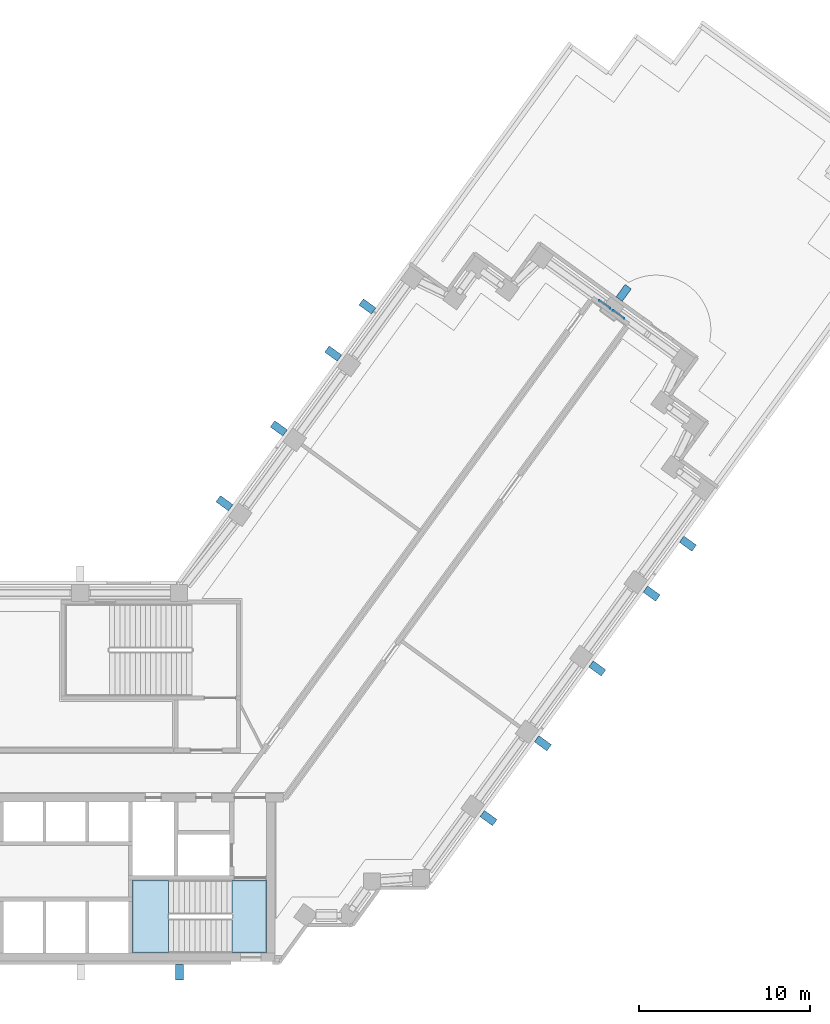
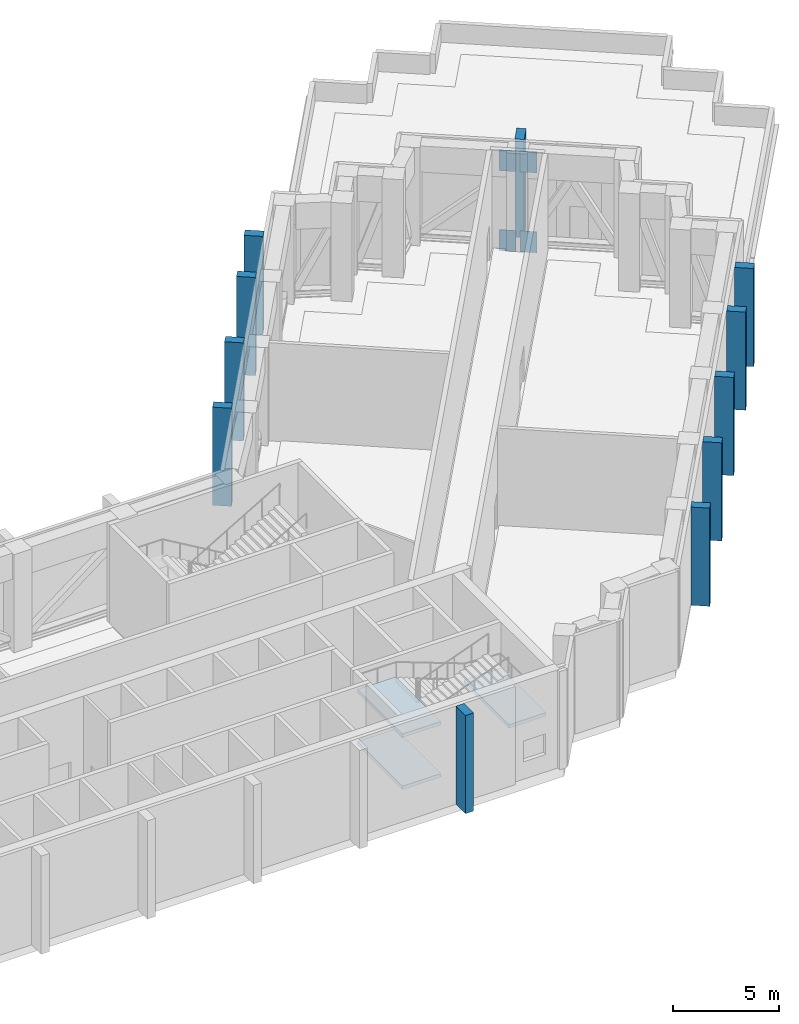
# One storey, part 6 of 18: 15 plates, 3 slabs, 1 element without a shape of its own.
"""IFC4 building model written with IfcOpenShell, lengths in metres."""

import ifcopenshell
import ifcopenshell.guid

model = None  # the IFC model being written
_history = None  # IfcOwnerHistory: only IFC2X3 demands one
_inside = {}  # id of a spatial element -> (the spatial element, [elements in it])
_under = {}  # id of a project, library or spatial element -> (it, [spatial elements below it])
_declared = {}  # id of a project -> (the project, [libraries it declares])
_typed = {}  # id of a type object -> (the type object, [elements of that type])
_made_of = {}  # id of a material, layer set ... -> (it, [elements and type objects made of it])


def new_model(schema):
    """Start an empty IFC model of exactly this schema.

    Asked for "IFC4X3", IfcOpenShell would pick the latest addendum, in which some entities
    have other attributes; the version numbers below select the first issue.
    IFC2X3 requires an IfcOwnerHistory on every rooted entity: one is made here for all.
    """
    global model, _history
    if schema == "IFC4X3":
        model = ifcopenshell.file(schema_version=(4, 3, 0, 0))
    else:
        model = ifcopenshell.file(schema=schema)
    _inside.clear()
    _under.clear()
    _declared.clear()
    _typed.clear()
    _made_of.clear()
    _history = None
    if model.schema == "IFC2X3":
        org = make("IfcOrganization", Name="unknown")
        user = make(
            "IfcPersonAndOrganization",
            ThePerson=make("IfcPerson", FamilyName="unknown"),
            TheOrganization=org,
        )
        app = make(
            "IfcApplication",
            ApplicationDeveloper=org,
            Version="unknown",
            ApplicationFullName="unknown",
            ApplicationIdentifier="unknown",
        )
        _history = make(
            "IfcOwnerHistory",
            OwningUser=user,
            OwningApplication=app,
            ChangeAction="ADDED",
            CreationDate=0,
        )
    return model


def make(cls, **values):
    """One entity of the class cls with the attributes given. An attribute that is None is left unset."""
    return model.create_entity(
        cls, **{name: value for name, value in values.items() if value is not None}
    )


def rooted(cls, **values):
    """An entity with a GlobalId (a new one), such as an element, a storey or a relation."""
    return make(cls, GlobalId=ifcopenshell.guid.new(), OwnerHistory=_history, **values)


def si_unit(unit_type, name, prefix=None):
    """IfcSIUnit, for example si_unit("LENGTHUNIT", "METRE", prefix="MILLI")."""
    return make("IfcSIUnit", UnitType=unit_type, Prefix=prefix, Name=name)


def assignment(units):
    """IfcUnitAssignment: the units of a project."""
    return None if units is None else make("IfcUnitAssignment", Units=units)


def point(xyz):
    """IfcCartesianPoint."""
    return None if xyz is None else make("IfcCartesianPoint", Coordinates=xyz)


def direction(xyz):
    """IfcDirection."""
    return None if xyz is None else make("IfcDirection", DirectionRatios=xyz)


def frame(location, z_axis=None, x_axis=None):
    """IfcAxis2Placement3D, a coordinate frame: its origin and axes. An axis left out is left unset."""
    return make(
        "IfcAxis2Placement3D",
        Location=point(location),
        Axis=direction(z_axis),
        RefDirection=direction(x_axis),
    )


def frame_2d(location, x_axis=None):
    """IfcAxis2Placement2D, a coordinate frame in the plane: its origin and x axis."""
    return make(
        "IfcAxis2Placement2D", Location=point(location), RefDirection=direction(x_axis)
    )


def origin():
    """The frame at (0, 0, 0) with its axes left unset."""
    return frame((0.0, 0.0, 0.0))


def origin_2d():
    """The frame at (0, 0) in the plane with its x axis left unset."""
    return frame_2d((0.0, 0.0))


def place(relative_to, where):
    """IfcLocalPlacement: puts the frame where relative to a parent placement (None: the world)."""
    return make(
        "IfcLocalPlacement", PlacementRelTo=relative_to, RelativePlacement=where
    )


def context(
    kind, dimensions, precision=None, world=None, true_north=None, identifier=None
):
    """IfcGeometricRepresentationContext, for example the 3D "Model" context."""
    return make(
        "IfcGeometricRepresentationContext",
        ContextIdentifier=identifier,
        ContextType=kind,
        CoordinateSpaceDimension=dimensions,
        Precision=precision,
        WorldCoordinateSystem=world,
        TrueNorth=true_north,
    )


def subcontext(parent, identifier, kind, view, scale=None):
    """IfcGeometricRepresentationSubContext, for example "Body" below "Model"."""
    return make(
        "IfcGeometricRepresentationSubContext",
        ContextIdentifier=identifier,
        ContextType=kind,
        ParentContext=parent,
        TargetScale=scale,
        TargetView=view,
    )


def project(units=None, contexts=None):
    """IfcProject with its units and contexts."""
    return rooted(
        "IfcProject",
        Name="project",
        RepresentationContexts=contexts,
        UnitsInContext=assignment(units),
    )


def spatial(cls, under=None, at=None, **own):
    """A site, building, storey or space (cls), placed at a placement, below another one or the project."""
    s = rooted(cls, ObjectPlacement=at, **own)
    if under is not None:
        _under.setdefault(under.id(), (under, []))[1].append(s)
    return s


def polyline(points):
    """IfcPolyline through the points."""
    return make("IfcPolyline", Points=[point(p) for p in points])


def profile(cls, at=None, kind="AREA", **sizes):
    """A parametric profile (cls). Its sizes go by their IFC names, for example OverallWidth=200.0."""
    return make(cls, ProfileType=kind, Position=at, **sizes)


def rectangle(**sizes):
    """IfcRectangleProfileDef."""
    return profile("IfcRectangleProfileDef", **sizes)


def outline(outer, holes=None, kind="AREA"):
    """IfcArbitraryClosedProfileDef: a profile drawn as a closed curve; with holes, ...WithVoids."""
    if holes is None:
        return make("IfcArbitraryClosedProfileDef", ProfileType=kind, OuterCurve=outer)
    return make(
        "IfcArbitraryProfileDefWithVoids",
        ProfileType=kind,
        OuterCurve=outer,
        InnerCurves=holes,
    )


def extrude(swept, where, along, depth):
    """IfcExtrudedAreaSolid: the profile swept, set in the frame where, extruded along a direction by depth."""
    return make(
        "IfcExtrudedAreaSolid",
        SweptArea=swept,
        Position=where,
        ExtrudedDirection=direction(along),
        Depth=depth,
    )


def shape(context_of_items, identifier, shape_type, items):
    """IfcShapeRepresentation: the items that make up one representation, for example the "Body"."""
    return make(
        "IfcShapeRepresentation",
        ContextOfItems=context_of_items,
        RepresentationIdentifier=identifier,
        RepresentationType=shape_type,
        Items=items,
    )


def material(Name=None, Category=None):
    """IfcMaterial."""
    return make("IfcMaterial", Name=Name, Category=Category)


def layer(
    of_material, thickness, ventilated=None, Name=None, Category=None, Priority=None
):
    """IfcMaterialLayer: one layer of a wall or slab, of a material (None: an air gap)."""
    return make(
        "IfcMaterialLayer",
        Material=of_material,
        LayerThickness=thickness,
        IsVentilated=ventilated,
        Name=Name,
        Category=Category,
        Priority=Priority,
    )


def layer_set(layers, Name=None):
    """IfcMaterialLayerSet."""
    return make("IfcMaterialLayerSet", MaterialLayers=layers, LayerSetName=Name)


def made_of(thing, what):
    """Note that an element or type object is made of a material, layer set ...; save() writes the relation."""
    if what is not None:
        _made_of.setdefault(what.id(), (what, []))[1].append(thing)
    return thing


def type_object(cls, material=None, **own):
    """A type object (cls), such as IfcWallType, which elements share."""
    return made_of(rooted(cls, **own), material)


def element(
    cls,
    number,
    at=None,
    inside=None,
    cuts=None,
    type_object=None,
    material=None,
    context=None,
    identifier="Body",
    shape_type=None,
    held_by="IfcProductDefinitionShape",
    body=None,
    shapes=None,
    **own,
):
    """One element of the class cls, such as IfcWall. Its Tag is "e" and its number.

    at: its placement. inside: the storey or other place that contains it. cuts: it is an
    opening in that element (IfcRelVoidsElement). A single representation is given by context,
    identifier, shape_type and body (its items); several are given by shapes. held_by: the class
    of the entity that holds the representations. save() writes the other relations.
    """
    e = rooted(cls, Tag="e%d" % number, ObjectPlacement=at, **own)
    if body is not None:
        shapes = [shape(context, identifier, shape_type, body)]
    if shapes is not None:
        e.Representation = make(held_by, Representations=shapes)
    if inside is not None:
        _inside.setdefault(inside.id(), (inside, []))[1].append(e)
    if cuts is not None:
        rooted(
            "IfcRelVoidsElement", RelatingBuildingElement=cuts, RelatedOpeningElement=e
        )
    if type_object is not None:
        _typed.setdefault(type_object.id(), (type_object, []))[1].append(e)
    return made_of(e, material)


def aggregate(whole, parts):
    """IfcRelAggregates: a whole, such as a stair, and the parts it consists of."""
    return rooted("IfcRelAggregates", RelatingObject=whole, RelatedObjects=parts)


def save(model, path):
    """Write the relations noted so far, then the file.

    IfcRelAggregates (storeys below a building ...), IfcRelContainedInSpatialStructure (elements
    in a storey), IfcRelDefinesByType, IfcRelAssociatesMaterial and IfcRelDeclares: one each for
    every whole, place, type object, material and project.
    """
    for whole, parts in _under.values():
        aggregate(whole, parts)
    for where, things in _inside.values():
        rooted(
            "IfcRelContainedInSpatialStructure",
            RelatedElements=things,
            RelatingStructure=where,
        )
    for kind, things in _typed.values():
        rooted("IfcRelDefinesByType", RelatedObjects=things, RelatingType=kind)
    for what, things in _made_of.values():
        rooted("IfcRelAssociatesMaterial", RelatedObjects=things, RelatingMaterial=what)
    for by, libraries in _declared.values():
        rooted("IfcRelDeclares", RelatingContext=by, RelatedDefinitions=libraries)
    model.write(path)


model = new_model("IFC4")

# Units and contexts
model_context = context("Model", 3, precision=1e-05, world=origin(), true_north=direction((0.0, 1.0)))
body_context = subcontext(model_context, "Body", "Model", "MODEL_VIEW")
ifc_project = project(units=[si_unit("LENGTHUNIT", "METRE"), si_unit("AREAUNIT", "SQUARE_METRE"), si_unit("VOLUMEUNIT", "CUBIC_METRE"), si_unit("PLANEANGLEUNIT", "RADIAN"), si_unit("MASSUNIT", "GRAM", prefix="KILO")], contexts=[model_context])

# Site, building, storey
site_placement = place(None, origin())
site = spatial("IfcSite", under=ifc_project, at=site_placement, CompositionType="ELEMENT")
building_placement = place(site_placement, origin())
building = spatial("IfcBuilding", under=site, at=building_placement, Name="Quipu Civic Tower", CompositionType="ELEMENT")
storey_placement = place(building_placement, frame((0.0, 0.0, 79.0)))
storey = spatial("IfcBuildingStorey", under=building, at=storey_placement, Name="L18", CompositionType="ELEMENT", Elevation=79.0)

# Plates
ifc_material_1 = material(Name="Steel ASTM A572 Grade 50 (fy 345 MPa)", Category="steel")
ifc_layer_1 = layer(ifc_material_1, 0.030029296875)
ifc_layer_set_1 = layer_set([ifc_layer_1], Name="Steel ASTM A572 Grade 50 (fy 345 MPa)")
plate_type_1 = type_object("IfcPlateType", Name="Cast in plate BC2", PredefinedType="SHEET", material=ifc_layer_set_1)
for number, where, z_axis, x_axis, name in (
    (1, (40.06591796875, 26.767822265625, -0.29638671875), (0.0, 0.0, 1.0), (0.809037511458, -0.587757011914, 0.0), "Cast-in plate BC2 L18 020"),
    (2, (39.2568359375, 27.35546875, -0.29638671875), (0.0, 0.0, 1.0), (0.809037511458, -0.587757011914, 0.0), "Cast-in plate BC2 L18 023"),
):
    element("IfcPlate", number, at=place(storey_placement, frame(where, z_axis=z_axis, x_axis=x_axis)), inside=storey, type_object=plate_type_1, Name=name, PredefinedType="SHEET", context=body_context, shape_type="SweptSolid", body=[
        extrude(rectangle(XDim=0.800048828125, YDim=0.030029296875, at=origin_2d()), origin(), (0.0, 0.0, 1.0), 1.199951171875),
    ])
ifc_material_2 = material(Name="Steel ASTM A572 Grade 50 (fy 345 MPa)", Category="steel")
ifc_layer_2 = layer(ifc_material_2, 0.030029296875)
ifc_layer_set_2 = layer_set([ifc_layer_2], Name="Steel ASTM A572 Grade 50 (fy 345 MPa)")
plate_type_2 = type_object("IfcPlateType", Name="Cast in plate TC1", PredefinedType="SHEET", material=ifc_layer_set_2)
for number, where, z_axis, x_axis, name in (
    (3, (40.06591796875, 26.767822265625, 4.2998046875), (0.0, 0.0, 1.0), (0.809037511458, -0.587757011914, 0.0), "Cast-in plate TC1 L18 019"),
    (4, (39.2568359375, 27.35546875, 4.2998046875), (0.0, 0.0, 1.0), (0.809037511458, -0.587757011914, 0.0), "Cast-in plate TC1 L18 022"),
):
    element("IfcPlate", number, at=place(storey_placement, frame(where, z_axis=z_axis, x_axis=x_axis)), inside=storey, type_object=plate_type_2, Name=name, PredefinedType="SHEET", context=body_context, shape_type="SweptSolid", body=[
        extrude(rectangle(XDim=0.800048828125, YDim=0.030029296875, at=origin_2d()), origin(), (0.0, 0.0, 1.0), 1.199951171875),
    ])
ifc_material_3 = material(Name="Precast concrete C40/50", Category="concrete")
plate_type_3 = type_object("IfcPlateType", Name="Precast fin F1", PredefinedType="SHEET", material=ifc_material_3)
for number, where, z_axis, x_axis, name in (
    (5, (14.431884765625, -11.637939453125, 0.0), (0.0, 0.0, 1.0), (1.0, 0.0, 0.0), "Precast fin F1 L18.19.6"),
    (6, (32.46923828125, -2.63720703125, 0.0), (0.0, 0.0, 1.0), (0.587785620359, 0.809016726959, 0.0), "Precast fin F1 L18.27.1"),
    (7, (35.643310546875, 1.7314453125, 0.0), (0.0, 0.0, 1.0), (0.587785620359, 0.809016726959, 0.0), "Precast fin F1 L18.27.2"),
    (8, (38.8173828125, 6.10009765625, 0.0), (0.0, 0.0, 1.0), (0.587785620359, 0.809016726959, 0.0), "Precast fin F1 L18.27.3"),
    (9, (41.991455078125, 10.46875, 0.0), (0.0, 0.0, 1.0), (0.587785620359, 0.809016726959, 0.0), "Precast fin F1 L18.27.4"),
    (10, (44.108642578125, 13.383056640625, 0.0), (0.0, 0.0, 1.0), (0.587785620359, 0.809016726959, 0.0), "Precast fin F1 L18.27.5"),
    (11, (40.359619140625, 28.022705078125, 0.0), (0.0, 0.0, 1.0), (-0.809017072762, 0.587785144401, 0.0), "Precast fin F1 L18.34.1"),
    (12, (25.3984375, 27.22998046875, 0.0), (0.0, 0.0, 1.0), (-0.587787133119, -0.809015627871, 0.0), "Precast fin F1 L18.39.1"),
    (13, (23.4013671875, 24.481201171875, 0.0), (0.0, 0.0, 1.0), (-0.587787133119, -0.809015627871, 0.0), "Precast fin F1 L18.39.2"),
    (14, (20.227294921875, 20.112548828125, 0.0), (0.0, 0.0, 1.0), (-0.587787133119, -0.809015627871, 0.0), "Precast fin F1 L18.39.3"),
    (15, (17.05322265625, 15.743896484375, 0.0), (0.0, 0.0, 1.0), (-0.587787133119, -0.809015627871, 0.0), "Precast fin F1 L18.39.4"),
):
    element("IfcPlate", number, at=place(storey_placement, frame(where, z_axis=z_axis, x_axis=x_axis)), inside=storey, type_object=plate_type_3, Name=name, PredefinedType="SHEET", context=body_context, shape_type="SweptSolid", body=[
        extrude(rectangle(XDim=0.449951171875, YDim=0.89990234375, at=origin_2d()), origin(), (0.0, 0.0, 1.0), 5.64990234375),
    ])

# Stair, slabs
ifc_material_4 = material(Name="Concrete C40/50", Category="concrete")
stair_type = type_object("IfcStairType", Name="Half turn stair 2000", PredefinedType="HALF_TURN_STAIR", material=ifc_material_4)
stair_placement = place(storey_placement, origin())
stair = element("IfcStair", 16, at=stair_placement, inside=storey, type_object=stair_type, Name="Exit stair 2", PredefinedType="HALF_TURN_STAIR")
ifc_material_5 = material(Name="Concrete C40/50", Category="concrete")
ifc_layer_3 = layer(ifc_material_5, 0.199951171875)
ifc_layer_set_3 = layer_set([ifc_layer_3], Name="Concrete C40/50")
slab_type = type_object("IfcSlabType", Name="Stair landing 200", PredefinedType="LANDING", material=ifc_layer_set_3)
slab_1_placement = place(storey_placement, frame((0.0, 0.0, 1.300048828125)))
slab_1 = element("IfcSlab", 17, at=slab_1_placement, type_object=slab_type, Name="ST-2 landing 1", PredefinedType="LANDING", context=body_context, shape_type="SweptSolid", body=[
    extrude(outline(polyline([(13.780029296875, -6.25), (11.699951171875, -6.25), (11.699951171875, -10.5), (13.780029296875, -10.5), (13.780029296875, -6.25)])), origin(), (0.0, 0.0, 1.0), 0.199951171875),
])
slab_2_placement = place(storey_placement, frame((0.0, 0.0, 2.800048828125)))
slab_2 = element("IfcSlab", 18, at=slab_2_placement, type_object=slab_type, Name="ST-2 landing 2", PredefinedType="LANDING", context=body_context, shape_type="SweptSolid", body=[
    extrude(outline(polyline([(19.5, -6.25), (17.5, -6.25), (17.5, -10.5), (19.5, -10.5), (19.5, -6.25)])), origin(), (0.0, 0.0, 1.0), 0.199951171875),
])
slab_3_placement = place(storey_placement, frame((0.0, 0.0, 4.300048828125)))
slab_3 = element("IfcSlab", 19, at=slab_3_placement, type_object=slab_type, Name="ST-2 landing 3", PredefinedType="LANDING", context=body_context, shape_type="SweptSolid", body=[
    extrude(outline(polyline([(13.780029296875, -6.25), (11.699951171875, -6.25), (11.699951171875, -10.5), (13.780029296875, -10.5), (13.780029296875, -6.25)])), origin(), (0.0, 0.0, 1.0), 0.199951171875),
])
aggregate(stair, [slab_1, slab_2, slab_3])

save(model, "model.ifc")
